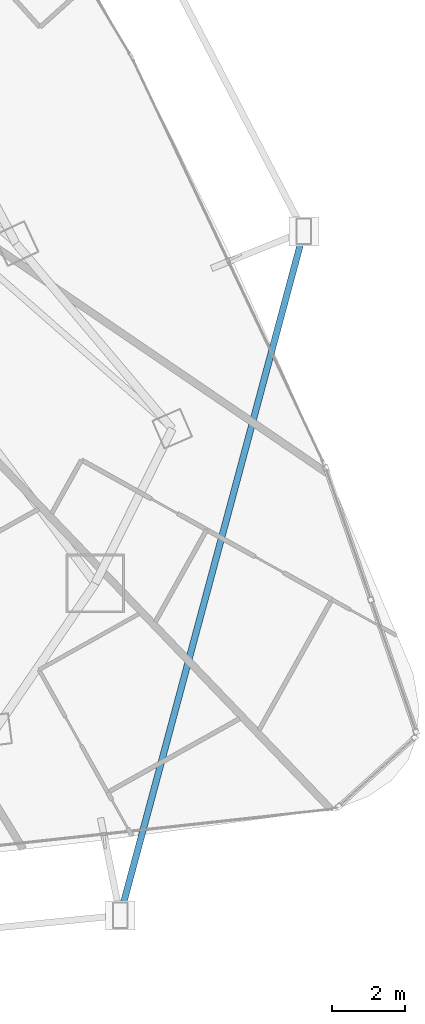
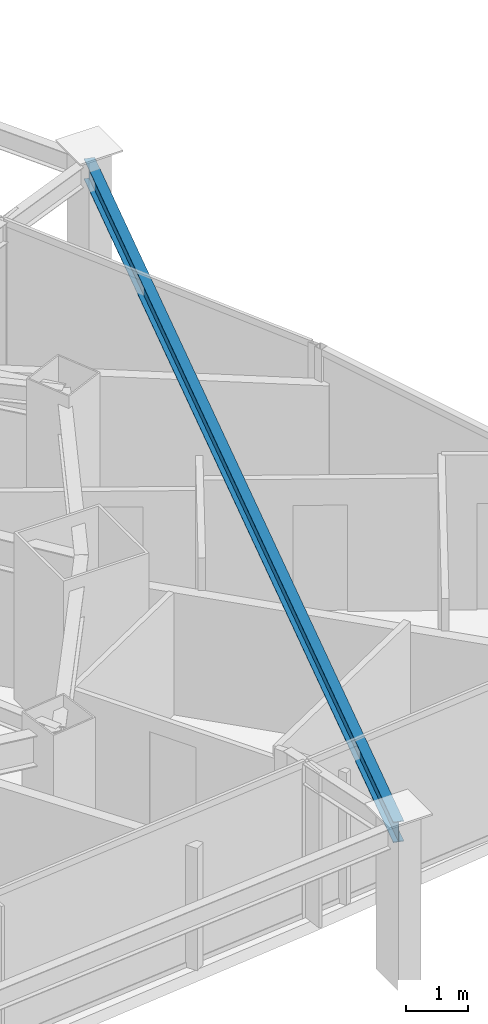
# One storey, part 15 of 34: 1 beam.
"""IFC4 building model written with IfcOpenShell, lengths in metres."""

from ifc_helpers import new_model, si_unit, direction, frame, origin, origin_2d, place, context, subcontext, project, spatial, i_section, extrude, material, material_profile, profile_set, type_object, element, save


model = new_model("IFC4")

# Units and contexts
model_context = context("Model", 3, precision=1e-05, world=origin(), true_north=direction((0.0, 1.0)))
body_context = subcontext(model_context, "Body", "Model", "MODEL_VIEW")
ifc_project = project(units=[si_unit("LENGTHUNIT", "METRE"), si_unit("AREAUNIT", "SQUARE_METRE"), si_unit("VOLUMEUNIT", "CUBIC_METRE"), si_unit("PLANEANGLEUNIT", "RADIAN"), si_unit("MASSUNIT", "GRAM", prefix="KILO")], contexts=[model_context])

# Site, building, storey
site_placement = place(None, origin())
site = spatial("IfcSite", under=ifc_project, at=site_placement, CompositionType="ELEMENT")
building_placement = place(site_placement, origin())
building = spatial("IfcBuilding", under=site, at=building_placement, Name="Orvanel Arch Residences", CompositionType="ELEMENT")
storey_placement = place(building_placement, frame((0.0, 0.0, 80.75)))
storey = spatial("IfcBuildingStorey", under=building, at=storey_placement, Name="L22", CompositionType="ELEMENT", Elevation=80.75)

# Beam
ifc_material = material(Name="Structural steel AS/NZS 3679.1 Grade 300 (300 MPa)", Category="steel")
ifc_material_profile = material_profile(ifc_material, i_section(OverallWidth=0.177978515625, OverallDepth=0.406005859375, WebThickness=0.0078125, FlangeThickness=0.0126953125, at=origin_2d()), Name="410UB59.7")
ifc_profile_set = profile_set([ifc_material_profile], Name="Structural steel AS/NZS 3679.1 Grade 300 (300 MPa)")
beam_type = type_object("IfcBeamType", Name="OB-410UB-EXT", PredefinedType="SPANDREL", material=ifc_profile_set)
beam_placement = place(storey_placement, frame((52.48095703125, 1.27099609375, 2.85693359375), z_axis=(0.259358589193, 0.965781094354, 0.0), x_axis=(-0.965781094354, 0.259358589193, 0.0)))
element("IfcBeam", 1, at=beam_placement, inside=storey, type_object=beam_type, Name="L22 Outer Perimeter Floor Ring Beam 08", PredefinedType="SPANDREL", context=body_context, shape_type="SweptSolid", body=[
    extrude(i_section(OverallWidth=0.177978515625, OverallDepth=0.406005859375, WebThickness=0.0078125, FlangeThickness=0.0126953125, at=origin_2d()), origin(), (0.0, 0.0, 1.0), 19.36669921875),
])

save(model, "model.ifc")
